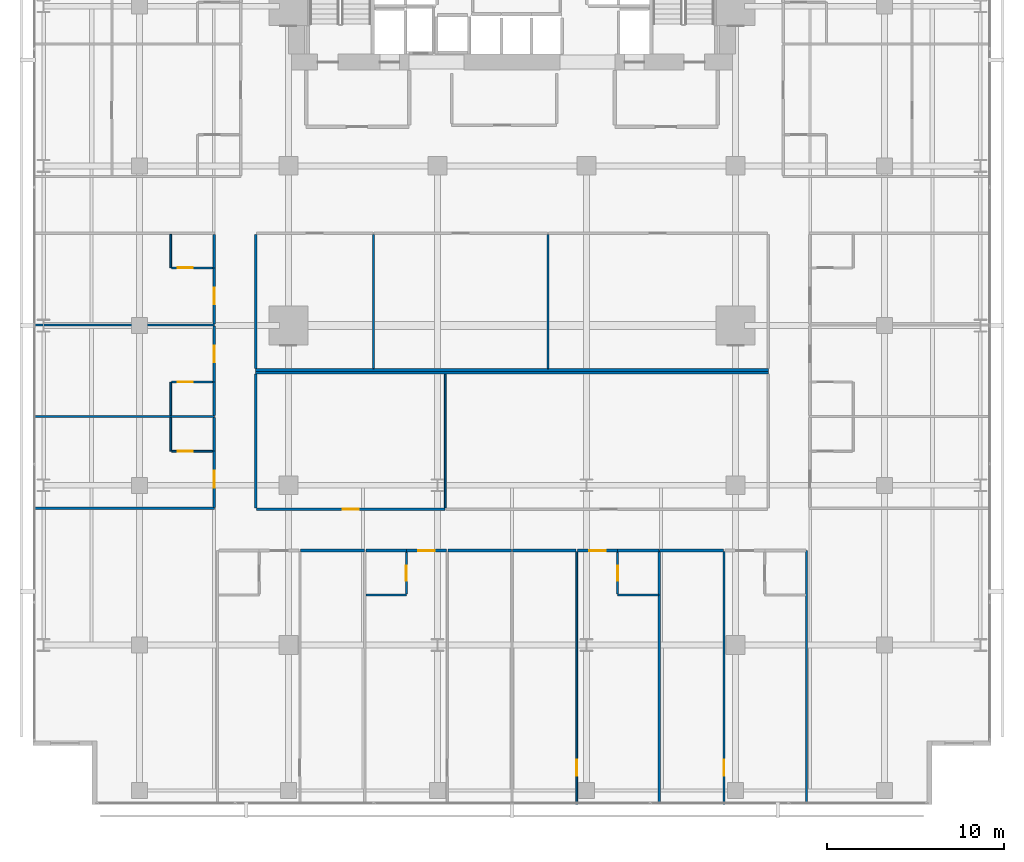
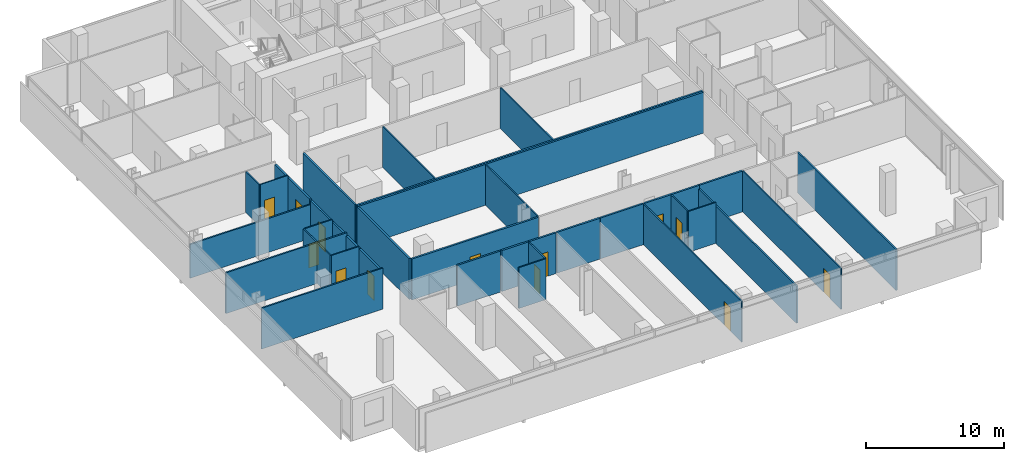
# One storey, part 33 of 40: 39 walls, 13 doors, 13 openings.
"""IFC4 building model written with IfcOpenShell, lengths in metres."""

from ifc_helpers import new_model, si_unit, direction, frame, frame_2d, origin, place, context, subcontext, project, spatial, rectangle, extrude, material, layer, layer_set, type_object, element, fill, save


model = new_model("IFC4")

# Units and contexts
model_context = context("Model", 3, precision=1e-05, world=origin(), true_north=direction((0.0, 1.0)))
body_context = subcontext(model_context, "Body", "Model", "MODEL_VIEW")
ifc_project = project(units=[si_unit("LENGTHUNIT", "METRE"), si_unit("AREAUNIT", "SQUARE_METRE"), si_unit("VOLUMEUNIT", "CUBIC_METRE"), si_unit("PLANEANGLEUNIT", "RADIAN"), si_unit("MASSUNIT", "GRAM", prefix="KILO")], contexts=[model_context])

# Site, building, storey
site_placement = place(None, origin())
site = spatial("IfcSite", under=ifc_project, at=site_placement, CompositionType="ELEMENT")
building_placement = place(site_placement, origin())
building = spatial("IfcBuilding", under=site, at=building_placement, Name="Maruvema Waterfront Hotel and Observation Tower", CompositionType="ELEMENT")
storey_placement = place(building_placement, frame((0.0, 0.0, 42.35009765625)))
storey = spatial("IfcBuildingStorey", under=building, at=storey_placement, Name="L09", CompositionType="ELEMENT", Elevation=42.35009765625)

# Walls
ifc_material_1 = material(Name="Twin-stud acoustic gypsum drywall", Category="gypsum")
ifc_layer_1 = layer(ifc_material_1, 0.14990234375, Name="Acoustic Corridor and Suite Demising Wall 150 mm")
ifc_layer_set_1 = layer_set([ifc_layer_1], Name="Twin-stud acoustic gypsum drywall")
wall_type_1 = type_object("IfcWallType", Name="Acoustic Corridor and Suite Demising Wall 150 mm", PredefinedType="PARTITIONING", material=ifc_layer_set_1)
wall_1_placement = place(storey_placement, frame((23.35009765625, 24.5, 0.0), z_axis=(0.0, 0.0, 1.0), x_axis=(1.0, 0.0, 0.0)))
element("IfcWall", 1, at=wall_1_placement, inside=storey, type_object=wall_type_1, Name="L09 L09-INTN Back Wall 016", PredefinedType="PARTITIONING", context=body_context, shape_type="SweptSolid", body=[
    extrude(rectangle(XDim=28.89990234375, YDim=0.14990234375, at=frame_2d((14.449951171875, 0.0))), origin(), (0.0, 0.0, 1.0), 3.60986328125),
])
wall_2_placement = place(storey_placement, frame((23.35009765625, 24.580078125, 0.0), z_axis=(0.0, 0.0, 1.0), x_axis=(0.0, 1.0, 0.0)))
element("IfcWall", 2, at=wall_2_placement, inside=storey, type_object=wall_type_1, Name="L09 L09-INTN West Wall 017", PredefinedType="PARTITIONING", context=body_context, shape_type="SweptSolid", body=[
    extrude(rectangle(XDim=7.5400390625, YDim=0.14990234375, at=frame_2d((3.77001953125, 0.0))), origin(), (0.0, 0.0, 1.0), 3.60986328125),
])
wall_3_placement = place(storey_placement, frame((23.35009765625, 24.340087890625, 0.0), z_axis=(0.0, 0.0, 1.0), x_axis=(1.0, 0.0, 0.0)))
element("IfcWall", 3, at=wall_3_placement, inside=storey, type_object=wall_type_1, Name="L09 L09-INTS Back Wall 024", PredefinedType="PARTITIONING", context=body_context, shape_type="SweptSolid", body=[
    extrude(rectangle(XDim=28.89990234375, YDim=0.14990234375, at=frame_2d((14.449951171875, 0.0))), origin(), (0.0, 0.0, 1.0), 3.60986328125),
])
wall_4_placement = place(storey_placement, frame((23.35009765625, 16.72998046875, 0.0), z_axis=(0.0, 0.0, 1.0), x_axis=(0.0, 1.0, 0.0)))
element("IfcWall", 4, at=wall_4_placement, inside=storey, type_object=wall_type_1, Name="L09 L09-INTS West Wall 025", PredefinedType="PARTITIONING", context=body_context, shape_type="SweptSolid", body=[
    extrude(rectangle(XDim=7.530029296875, YDim=0.14990234375, at=frame_2d((3.76513671875, 0.0))), origin(), (0.0, 0.0, 1.0), 3.60986328125),
])

# Wall, opening, door
wall_5_placement = place(storey_placement, frame((23.409912109375, 16.64990234375, 0.0), z_axis=(0.0, 0.0, 1.0), x_axis=(1.0, 0.0, 0.0)))
wall_5 = element("IfcWall", 5, at=wall_5_placement, inside=storey, type_object=wall_type_1, Name="L09 L09-INTS Front 1 027", PredefinedType="PARTITIONING", context=body_context, shape_type="SweptSolid", body=[
    extrude(rectangle(XDim=10.60302734375, YDim=0.14990234375, at=frame_2d((5.301513671875, 0.0))), origin(), (0.0, 0.0, 1.0), 3.60986328125),
])
opening_1_placement = place(wall_5_placement, frame((4.8515625, 0.0, 0.0)))
opening_1 = element("IfcOpeningElement", 6, at=opening_1_placement, cuts=wall_5, Name="Opening DR-090", PredefinedType="OPENING", context=body_context, shape_type="SweptSolid", body=[
    extrude(rectangle(XDim=0.89990234375, YDim=2.10009765625, at=frame_2d((0.449951171875, 1.050048828125))), frame((0.0, 0.0849609375, 0.0), z_axis=(0.0, -1.0, 0.0), x_axis=(1.0, 0.0, 0.0)), (0.0, 0.0, 1.0), 0.169921875),
])
ifc_material_2 = material(Name="Solid-core lacquered timber leaf", Category="wood")
door_type_1 = type_object("IfcDoorType", Name="Accessible Toilet and Room Door 900x2100 mm", OperationType="NOTDEFINED", PredefinedType="DOOR", material=ifc_material_2)
door_1_placement = place(opening_1_placement, frame((0.89990234375, 0.0, 0.0), z_axis=(0.0, 0.0, 1.0), x_axis=(-1.0, 0.0, 0.0)))
door_1 = element("IfcDoor", 7, at=door_1_placement, inside=storey, type_object=door_type_1, Name="L09 Wellness Reading Lounge Door", OperationType="SINGLE_SWING_LEFT", OverallHeight=2.10009765625, OverallWidth=0.89990234375, PredefinedType="DOOR", context=body_context, shape_type="SweptSolid", body=[
    extrude(rectangle(XDim=0.89990234375, YDim=2.10009765625, at=frame_2d((0.449951171875, 1.050048828125))), frame((0.0, 0.02490234375, 0.0), z_axis=(0.0, -1.0, 0.0), x_axis=(1.0, 0.0, 0.0)), (0.0, 0.0, 1.0), 0.050048828125),
])
fill(opening_1, door_1)

# Walls
wall_6_placement = place(storey_placement, frame((25.887939453125, 14.320068359375, 0.0), z_axis=(0.0, 0.0, 1.0), x_axis=(1.0, 0.0, 0.0)))
element("IfcWall", 8, at=wall_6_placement, inside=storey, type_object=wall_type_1, Name="L09 Bedroom L09-S1 Back Wall 036", PredefinedType="PARTITIONING", context=body_context, shape_type="SweptSolid", body=[
    extrude(rectangle(XDim=3.592041015625, YDim=0.14990234375, at=frame_2d((1.7958984375, 0.0))), origin(), (0.0, 0.0, 1.0), 3.60986328125),
])
wall_7_placement = place(storey_placement, frame((29.580078125, 14.320068359375, 0.0), z_axis=(0.0, 0.0, 1.0), x_axis=(1.0, 0.0, 0.0)))
element("IfcWall", 9, at=wall_7_placement, inside=storey, type_object=wall_type_1, Name="L09 Bath L09-S2 Back Wall 039", PredefinedType="PARTITIONING", context=body_context, shape_type="SweptSolid", body=[
    extrude(rectangle(XDim=2.27001953125, YDim=0.14990234375, at=frame_2d((1.135009765625, 0.0))), origin(), (0.0, 0.0, 1.0), 3.60986328125),
])

# Wall, opening, door
wall_8_placement = place(storey_placement, frame((31.85009765625, 14.320068359375, 0.0), z_axis=(0.0, 0.0, 1.0), x_axis=(1.0, 0.0, 0.0)))
wall_8 = element("IfcWall", 10, at=wall_8_placement, inside=storey, type_object=wall_type_1, Name="L09 Unit L09-S2 Corridor Wall 042", PredefinedType="PARTITIONING", context=body_context, shape_type="SweptSolid", body=[
    extrude(rectangle(XDim=2.2578125, YDim=0.14990234375, at=frame_2d((1.12890625, 0.0))), origin(), (0.0, 0.0, 1.0), 3.60986328125),
])
opening_2_placement = place(wall_8_placement, frame((0.654052734375, 0.0, 0.0)))
opening_2 = element("IfcOpeningElement", 11, at=opening_2_placement, cuts=wall_8, Name="Opening DR-095", PredefinedType="OPENING", context=body_context, shape_type="SweptSolid", body=[
    extrude(rectangle(XDim=0.949951171875, YDim=2.14990234375, at=frame_2d((0.47509765625, 1.074951171875))), frame((0.0, 0.0849609375, 0.0), z_axis=(0.0, -1.0, 0.0), x_axis=(1.0, 0.0, 0.0)), (0.0, 0.0, 1.0), 0.169921875),
])
ifc_material_3 = material(Name="Acoustic solid-core hardwood timber leaf", Category="wood")
door_type_2 = type_object("IfcDoorType", Name="Guestroom Entrance Fire Door 950x2150 mm", OperationType="NOTDEFINED", PredefinedType="DOOR", material=ifc_material_3)
door_2_placement = place(opening_2_placement, frame((0.949951171875, 0.0, 0.0), z_axis=(0.0, 0.0, 1.0), x_axis=(-1.0, 0.0, 0.0)))
door_2 = element("IfcDoor", 12, at=door_2_placement, inside=storey, type_object=door_type_2, Name="L09 Unit L09-S2 Entrance Door", OperationType="SINGLE_SWING_LEFT", OverallHeight=2.14990234375, OverallWidth=0.949951171875, PredefinedType="DOOR", context=body_context, shape_type="SweptSolid", body=[
    extrude(rectangle(XDim=0.949951171875, YDim=2.14990234375, at=frame_2d((0.47509765625, 1.074951171875))), frame((0.0, 0.02490234375, 0.0), z_axis=(0.0, -1.0, 0.0), x_axis=(1.0, 0.0, 0.0)), (0.0, 0.0, 1.0), 0.050048828125),
])
fill(opening_2, door_2)

# Walls
wall_9_placement = place(storey_placement, frame((34.18798828125, 14.320068359375, 0.0), z_axis=(0.0, 0.0, 1.0), x_axis=(1.0, 0.0, 0.0)))
element("IfcWall", 13, at=wall_9_placement, inside=storey, type_object=wall_type_1, Name="L09 Bedroom L09-S2 Back Wall 043", PredefinedType="PARTITIONING", context=body_context, shape_type="SweptSolid", body=[
    extrude(rectangle(XDim=3.592041015625, YDim=0.14990234375, at=frame_2d((1.7958984375, 0.0))), origin(), (0.0, 0.0, 1.0), 3.60986328125),
])
wall_10_placement = place(storey_placement, frame((43.75, 14.320068359375, 0.0), z_axis=(0.0, 0.0, 1.0), x_axis=(1.0, 0.0, 0.0)))
element("IfcWall", 14, at=wall_10_placement, inside=storey, type_object=wall_type_1, Name="L09 Bath L09-S3 Back Wall 046", PredefinedType="PARTITIONING", context=body_context, shape_type="SweptSolid", body=[
    extrude(rectangle(XDim=2.330078125, YDim=0.14990234375, at=frame_2d((1.1650390625, 0.0))), origin(), (0.0, 0.0, 1.0), 3.60986328125),
])
wall_11_placement = place(storey_placement, frame((37.820068359375, 14.320068359375, 0.0), z_axis=(0.0, 0.0, 1.0), x_axis=(1.0, 0.0, 0.0)))
element("IfcWall", 15, at=wall_11_placement, inside=storey, type_object=wall_type_1, Name="L09 Bedroom L09-S3 Back Wall 049", PredefinedType="PARTITIONING", context=body_context, shape_type="SweptSolid", body=[
    extrude(rectangle(XDim=3.592041015625, YDim=0.14990234375, at=frame_2d((1.7958984375, 0.0))), origin(), (0.0, 0.0, 1.0), 3.60986328125),
])

# Wall, opening, door
wall_12_placement = place(storey_placement, frame((41.491943359375, 14.320068359375, 0.0), z_axis=(0.0, 0.0, 1.0), x_axis=(1.0, 0.0, 0.0)))
wall_12 = element("IfcWall", 16, at=wall_12_placement, inside=storey, type_object=wall_type_1, Name="L09 Unit L09-S3 Corridor Wall 050", PredefinedType="PARTITIONING", context=body_context, shape_type="SweptSolid", body=[
    extrude(rectangle(XDim=2.258056640625, YDim=0.14990234375, at=frame_2d((1.12890625, 0.0))), origin(), (0.0, 0.0, 1.0), 3.60986328125),
])
opening_3_placement = place(wall_12_placement, frame((0.654052734375, 0.0, 0.0)))
opening_3 = element("IfcOpeningElement", 17, at=opening_3_placement, cuts=wall_12, Name="Opening DR-095", PredefinedType="OPENING", context=body_context, shape_type="SweptSolid", body=[
    extrude(rectangle(XDim=0.949951171875, YDim=2.14990234375, at=frame_2d((0.47509765625, 1.074951171875))), frame((0.0, 0.0849609375, 0.0), z_axis=(0.0, -1.0, 0.0), x_axis=(1.0, 0.0, 0.0)), (0.0, 0.0, 1.0), 0.169921875),
])
door_3_placement = place(opening_3_placement, frame((0.949951171875, 0.0, 0.0), z_axis=(0.0, 0.0, 1.0), x_axis=(-1.0, 0.0, 0.0)))
door_3 = element("IfcDoor", 18, at=door_3_placement, inside=storey, type_object=door_type_2, Name="L09 Unit L09-S3 Entrance Door", OperationType="SINGLE_SWING_RIGHT", OverallHeight=2.14990234375, OverallWidth=0.949951171875, PredefinedType="DOOR", context=body_context, shape_type="SweptSolid", body=[
    extrude(rectangle(XDim=0.949951171875, YDim=2.14990234375, at=frame_2d((0.47509765625, 1.074951171875))), frame((0.0, 0.02490234375, 0.0), z_axis=(0.0, -1.0, 0.0), x_axis=(1.0, 0.0, 0.0)), (0.0, 0.0, 1.0), 0.050048828125),
])
fill(opening_3, door_3)

# Wall
wall_13_placement = place(storey_placement, frame((46.1201171875, 14.320068359375, 0.0), z_axis=(0.0, 0.0, 1.0), x_axis=(1.0, 0.0, 0.0)))
element("IfcWall", 19, at=wall_13_placement, inside=storey, type_object=wall_type_1, Name="L09 Bedroom L09-S4 Back Wall 056", PredefinedType="PARTITIONING", context=body_context, shape_type="SweptSolid", body=[
    extrude(rectangle(XDim=3.591796875, YDim=0.14990234375, at=frame_2d((1.7958984375, 0.0))), origin(), (0.0, 0.0, 1.0), 3.60986328125),
])

# Wall, opening, door
wall_14_placement = place(storey_placement, frame((21.02001953125, 16.760009765625, 0.0), z_axis=(0.0, 0.0, 1.0), x_axis=(0.0, 1.0, 0.0)))
wall_14 = element("IfcWall", 20, at=wall_14_placement, inside=storey, type_object=wall_type_1, Name="L09 Room L09-W1 Corridor Wall 063", PredefinedType="PARTITIONING", context=body_context, shape_type="SweptSolid", body=[
    extrude(rectangle(XDim=3.159912109375, YDim=0.14990234375, at=frame_2d((1.580078125, 0.0))), origin(), (0.0, 0.0, 1.0), 3.343994140625),
])
opening_4_placement = place(wall_14_placement, frame((1.10498046875, 0.0, 0.0)))
opening_4 = element("IfcOpeningElement", 21, at=opening_4_placement, cuts=wall_14, Name="Opening DR-095", PredefinedType="OPENING", context=body_context, shape_type="SweptSolid", body=[
    extrude(rectangle(XDim=0.949951171875, YDim=2.14990234375, at=frame_2d((0.47509765625, 1.074951171875))), frame((0.0, 0.0849609375, 0.0), z_axis=(0.0, -1.0, 0.0), x_axis=(1.0, 0.0, 0.0)), (0.0, 0.0, 1.0), 0.169921875),
])
door_4_placement = place(opening_4_placement, origin())
door_4 = element("IfcDoor", 22, at=door_4_placement, inside=storey, type_object=door_type_2, Name="L09 Room L09-W1 Entrance Door", OperationType="SINGLE_SWING_RIGHT", OverallHeight=2.14990234375, OverallWidth=0.949951171875, PredefinedType="DOOR", context=body_context, shape_type="SweptSolid", body=[
    extrude(rectangle(XDim=0.949951171875, YDim=2.14990234375, at=frame_2d((0.47509765625, 1.074951171875))), frame((0.0, 0.02490234375, 0.0), z_axis=(0.0, -1.0, 0.0), x_axis=(1.0, 0.0, 0.0)), (0.0, 0.0, 1.0), 0.050048828125),
])
fill(opening_4, door_4)

# Walls
for number, where, z_axis, x_axis, name in (
    (23, (21.02001953125, 19.919921875, 0.0), (0.0, 0.0, 1.0), (0.0, 1.0, 0.0), "L09 Bath L09-W1 Wall 064"),
    (24, (21.02001953125, 21.929931640625, 0.0), (0.0, 0.0, 1.0), (0.0, 1.0, 0.0), "L09 Bath L09-W2 Wall 073"),
):
    element("IfcWall", number, at=place(storey_placement, frame(where, z_axis=z_axis, x_axis=x_axis)), inside=storey, type_object=wall_type_1, Name=name, PredefinedType="PARTITIONING", context=body_context, shape_type="SweptSolid", body=[
        extrude(rectangle(XDim=1.89013671875, YDim=0.14990234375, at=frame_2d((0.945068359375, 0.0))), origin(), (0.0, 0.0, 1.0), 3.351806640625),
    ])

# Wall, opening, door
wall_15_placement = place(storey_placement, frame((21.02001953125, 23.820068359375, 0.0), z_axis=(0.0, 0.0, 1.0), x_axis=(0.0, 1.0, 0.0)))
wall_15 = element("IfcWall", 25, at=wall_15_placement, inside=storey, type_object=wall_type_1, Name="L09 Room L09-W2 Corridor Wall 074", PredefinedType="PARTITIONING", context=body_context, shape_type="SweptSolid", body=[
    extrude(rectangle(XDim=3.14990234375, YDim=0.14990234375, at=frame_2d((1.574951171875, 0.0))), origin(), (0.0, 0.0, 1.0), 3.351806640625),
])
opening_5_placement = place(wall_15_placement, frame((1.10009765625, 0.0, 0.0)))
opening_5 = element("IfcOpeningElement", 26, at=opening_5_placement, cuts=wall_15, Name="Opening DR-095", PredefinedType="OPENING", context=body_context, shape_type="SweptSolid", body=[
    extrude(rectangle(XDim=0.949951171875, YDim=2.14990234375, at=frame_2d((0.47509765625, 1.074951171875))), frame((0.0, 0.0849609375, 0.0), z_axis=(0.0, -1.0, 0.0), x_axis=(1.0, 0.0, 0.0)), (0.0, 0.0, 1.0), 0.169921875),
])
door_5_placement = place(opening_5_placement, origin())
door_5 = element("IfcDoor", 27, at=door_5_placement, inside=storey, type_object=door_type_2, Name="L09 Room L09-W2 Entrance Door", OperationType="SINGLE_SWING_RIGHT", OverallHeight=2.14990234375, OverallWidth=0.949951171875, PredefinedType="DOOR", context=body_context, shape_type="SweptSolid", body=[
    extrude(rectangle(XDim=0.949951171875, YDim=2.14990234375, at=frame_2d((0.47509765625, 1.074951171875))), frame((0.0, 0.02490234375, 0.0), z_axis=(0.0, -1.0, 0.0), x_axis=(1.0, 0.0, 0.0)), (0.0, 0.0, 1.0), 0.050048828125),
])
fill(opening_5, door_5)

wall_16_placement = place(storey_placement, frame((21.02001953125, 27.090087890625, 0.0), z_axis=(0.0, 0.0, 1.0), x_axis=(0.0, 1.0, 0.0)))
wall_16 = element("IfcWall", 28, at=wall_16_placement, inside=storey, type_object=wall_type_1, Name="L09 Room L09-W3 Corridor Wall 083", PredefinedType="PARTITIONING", context=body_context, shape_type="SweptSolid", body=[
    extrude(rectangle(XDim=3.159912109375, YDim=0.14990234375, at=frame_2d((1.580078125, 0.0))), origin(), (0.0, 0.0, 1.0), 3.40283203125),
])
opening_6_placement = place(wall_16_placement, frame((1.10498046875, 0.0, 0.0)))
opening_6 = element("IfcOpeningElement", 29, at=opening_6_placement, cuts=wall_16, Name="Opening DR-095", PredefinedType="OPENING", context=body_context, shape_type="SweptSolid", body=[
    extrude(rectangle(XDim=0.949951171875, YDim=2.14990234375, at=frame_2d((0.47509765625, 1.074951171875))), frame((0.0, 0.0849609375, 0.0), z_axis=(0.0, -1.0, 0.0), x_axis=(1.0, 0.0, 0.0)), (0.0, 0.0, 1.0), 0.169921875),
])
door_6_placement = place(opening_6_placement, origin())
door_6 = element("IfcDoor", 30, at=door_6_placement, inside=storey, type_object=door_type_2, Name="L09 Room L09-W3 Entrance Door", OperationType="SINGLE_SWING_RIGHT", OverallHeight=2.14990234375, OverallWidth=0.949951171875, PredefinedType="DOOR", context=body_context, shape_type="SweptSolid", body=[
    extrude(rectangle(XDim=0.949951171875, YDim=2.14990234375, at=frame_2d((0.47509765625, 1.074951171875))), frame((0.0, 0.02490234375, 0.0), z_axis=(0.0, -1.0, 0.0), x_axis=(1.0, 0.0, 0.0)), (0.0, 0.0, 1.0), 0.050048828125),
])
fill(opening_6, door_6)

# Walls
wall_17_placement = place(storey_placement, frame((21.02001953125, 30.25, 0.0), z_axis=(0.0, 0.0, 1.0), x_axis=(0.0, 1.0, 0.0)))
element("IfcWall", 31, at=wall_17_placement, inside=storey, type_object=wall_type_1, Name="L09 Bath L09-W3 Wall 084", PredefinedType="PARTITIONING", context=body_context, shape_type="SweptSolid", body=[
    extrude(rectangle(XDim=1.889892578125, YDim=0.14990234375, at=frame_2d((0.94482421875, 0.0))), origin(), (0.0, 0.0, 1.0), 3.40283203125),
])
ifc_material_4 = material(Name="Moisture-resistant cement-board drywall", Category="gypsum")
ifc_layer_2 = layer(ifc_material_4, 0.10009765625, Name="En-Suite Moisture-Resistant Partition 100 mm")
ifc_layer_set_2 = layer_set([ifc_layer_2], Name="Moisture-resistant cement-board drywall")
wall_type_2 = type_object("IfcWallType", Name="En-Suite Moisture-Resistant Partition 100 mm", PredefinedType="PARTITIONING", material=ifc_layer_set_2)
for number, where, z_axis, x_axis, name in (
    (32, (29.9970703125, 24.580078125, 0.0), (0.0, 0.0, 1.0), (0.0, 1.0, 0.0), "L09 L09-INTN Split 1 020"),
    (33, (39.822998046875, 24.580078125, 0.0), (0.0, 0.0, 1.0), (0.0, 1.0, 0.0), "L09 L09-INTN Split 2 022"),
):
    element("IfcWall", number, at=place(storey_placement, frame(where, z_axis=z_axis, x_axis=x_axis)), inside=storey, type_object=wall_type_2, Name=name, PredefinedType="PARTITIONING", context=body_context, shape_type="SweptSolid", body=[
        extrude(rectangle(XDim=7.5400390625, YDim=0.10009765625, at=frame_2d((3.77001953125, 0.0))), origin(), (0.0, 0.0, 1.0), 3.60986328125),
    ])
wall_18_placement = place(storey_placement, frame((34.04296875, 16.72998046875, 0.0), z_axis=(0.0, 0.0, 1.0), x_axis=(0.0, 1.0, 0.0)))
element("IfcWall", 34, at=wall_18_placement, inside=storey, type_object=wall_type_2, Name="L09 L09-INTS Split 1 028", PredefinedType="PARTITIONING", context=body_context, shape_type="SweptSolid", body=[
    extrude(rectangle(XDim=7.530029296875, YDim=0.10009765625, at=frame_2d((3.76513671875, 0.0))), origin(), (0.0, 0.0, 1.0), 3.60986328125),
])
wall_19_placement = place(storey_placement, frame((29.580078125, 11.820068359375, 0.0), z_axis=(0.0, 0.0, 1.0), x_axis=(1.0, 0.0, 0.0)))
element("IfcWall", 35, at=wall_19_placement, inside=storey, type_object=wall_type_2, Name="L09 En-Suite L09-S2 South 040", PredefinedType="PARTITIONING", context=body_context, shape_type="SweptSolid", body=[
    extrude(rectangle(XDim=2.27001953125, YDim=0.10009765625, at=frame_2d((1.135009765625, 0.0))), origin(), (0.0, 0.0, 1.0), 3.60986328125),
])

# Wall, opening, door
wall_20_placement = place(storey_placement, frame((31.85009765625, 11.8798828125, 0.0), z_axis=(0.0, 0.0, 1.0), x_axis=(0.0, 1.0, 0.0)))
wall_20 = element("IfcWall", 36, at=wall_20_placement, inside=storey, type_object=wall_type_2, Name="L09 En-Suite L09-S2 East 041", PredefinedType="PARTITIONING", context=body_context, shape_type="SweptSolid", body=[
    extrude(rectangle(XDim=2.340087890625, YDim=0.10009765625, at=frame_2d((1.169921875, 0.0))), origin(), (0.0, 0.0, 1.0), 3.60986328125),
])
opening_7_placement = place(wall_20_placement, frame((0.7451171875, 0.0, 0.0)))
opening_7 = element("IfcOpeningElement", 37, at=opening_7_placement, cuts=wall_20, Name="Opening DR-085", PredefinedType="OPENING", context=body_context, shape_type="SweptSolid", body=[
    extrude(rectangle(XDim=0.85009765625, YDim=2.10009765625, at=frame_2d((0.425048828125, 1.050048828125))), frame((0.0, 0.06005859375, 0.0), z_axis=(0.0, -1.0, 0.0), x_axis=(1.0, 0.0, 0.0)), (0.0, 0.0, 1.0), 0.1201171875),
])
ifc_material_5 = material(Name="Moisture-resistant solid timber leaf", Category="wood")
door_type_3 = type_object("IfcDoorType", Name="En-Suite Bathroom Door 850x2100 mm", OperationType="NOTDEFINED", PredefinedType="DOOR", material=ifc_material_5)
door_7_placement = place(opening_7_placement, frame((0.85009765625, 0.0, 0.0), z_axis=(0.0, 0.0, 1.0), x_axis=(-1.0, 0.0, 0.0)))
door_7 = element("IfcDoor", 38, at=door_7_placement, inside=storey, type_object=door_type_3, Name="L09 En-Suite L09-S2 Door", OperationType="SINGLE_SWING_RIGHT", OverallHeight=2.10009765625, OverallWidth=0.85009765625, PredefinedType="DOOR", context=body_context, shape_type="SweptSolid", body=[
    extrude(rectangle(XDim=0.85009765625, YDim=2.10009765625, at=frame_2d((0.425048828125, 1.050048828125))), frame((0.0, 0.02490234375, 0.0), z_axis=(0.0, -1.0, 0.0), x_axis=(1.0, 0.0, 0.0)), (0.0, 0.0, 1.0), 0.050048828125),
])
fill(opening_7, door_7)

# Wall
wall_21_placement = place(storey_placement, frame((43.75, 11.820068359375, 0.0), z_axis=(0.0, 0.0, 1.0), x_axis=(1.0, 0.0, 0.0)))
element("IfcWall", 39, at=wall_21_placement, inside=storey, type_object=wall_type_2, Name="L09 En-Suite L09-S3 South 047", PredefinedType="PARTITIONING", context=body_context, shape_type="SweptSolid", body=[
    extrude(rectangle(XDim=2.31005859375, YDim=0.10009765625, at=frame_2d((1.155029296875, 0.0))), origin(), (0.0, 0.0, 1.0), 3.60986328125),
])

# Wall, opening, door
wall_22_placement = place(storey_placement, frame((43.75, 11.8798828125, 0.0), z_axis=(0.0, 0.0, 1.0), x_axis=(0.0, 1.0, 0.0)))
wall_22 = element("IfcWall", 40, at=wall_22_placement, inside=storey, type_object=wall_type_2, Name="L09 En-Suite L09-S3 West 048", PredefinedType="PARTITIONING", context=body_context, shape_type="SweptSolid", body=[
    extrude(rectangle(XDim=2.340087890625, YDim=0.10009765625, at=frame_2d((1.169921875, 0.0))), origin(), (0.0, 0.0, 1.0), 3.60986328125),
])
opening_8_placement = place(wall_22_placement, frame((0.7451171875, 0.0, 0.0)))
opening_8 = element("IfcOpeningElement", 41, at=opening_8_placement, cuts=wall_22, Name="Opening DR-085", PredefinedType="OPENING", context=body_context, shape_type="SweptSolid", body=[
    extrude(rectangle(XDim=0.85009765625, YDim=2.10009765625, at=frame_2d((0.425048828125, 1.050048828125))), frame((0.0, 0.06005859375, 0.0), z_axis=(0.0, -1.0, 0.0), x_axis=(1.0, 0.0, 0.0)), (0.0, 0.0, 1.0), 0.1201171875),
])
door_8_placement = place(opening_8_placement, origin())
door_8 = element("IfcDoor", 42, at=door_8_placement, inside=storey, type_object=door_type_3, Name="L09 En-Suite L09-S3 Door", OperationType="SINGLE_SWING_LEFT", OverallHeight=2.10009765625, OverallWidth=0.85009765625, PredefinedType="DOOR", context=body_context, shape_type="SweptSolid", body=[
    extrude(rectangle(XDim=0.85009765625, YDim=2.10009765625, at=frame_2d((0.425048828125, 1.050048828125))), frame((0.0, 0.02490234375, 0.0), z_axis=(0.0, -1.0, 0.0), x_axis=(1.0, 0.0, 0.0)), (0.0, 0.0, 1.0), 0.050048828125),
])
fill(opening_8, door_8)

wall_23_placement = place(storey_placement, frame((41.451904296875, 0.030029296875, 0.0), z_axis=(0.0, 0.0, 1.0), x_axis=(0.0, 1.0, 0.0)))
wall_23 = element("IfcWall", 43, at=wall_23_placement, inside=storey, type_object=wall_type_2, Name="L09 Suite L09-S3 Split 051", PredefinedType="PARTITIONING", context=body_context, shape_type="SweptSolid", body=[
    extrude(rectangle(XDim=14.22998046875, YDim=0.10009765625, at=frame_2d((7.114990234375, 0.0))), origin(), (0.0, 0.0, 1.0), 3.60986328125),
])
opening_9_placement = place(wall_23_placement, frame((1.60009765625, 0.0, 0.0)))
opening_9 = element("IfcOpeningElement", 44, at=opening_9_placement, cuts=wall_23, Name="Opening DR-090", PredefinedType="OPENING", context=body_context, shape_type="SweptSolid", body=[
    extrude(rectangle(XDim=0.89990234375, YDim=2.10009765625, at=frame_2d((0.449951171875, 1.050048828125))), frame((0.0, 0.06005859375, 0.0), z_axis=(0.0, -1.0, 0.0), x_axis=(1.0, 0.0, 0.0)), (0.0, 0.0, 1.0), 0.1201171875),
])
door_9_placement = place(opening_9_placement, frame((0.89990234375, 0.0, 0.0), z_axis=(0.0, 0.0, 1.0), x_axis=(-1.0, 0.0, 0.0)))
door_9 = element("IfcDoor", 45, at=door_9_placement, inside=storey, type_object=door_type_1, Name="L09 Suite L09-S3 Bedroom Door", OperationType="SINGLE_SWING_LEFT", OverallHeight=2.10009765625, OverallWidth=0.89990234375, PredefinedType="DOOR", context=body_context, shape_type="SweptSolid", body=[
    extrude(rectangle(XDim=0.89990234375, YDim=2.10009765625, at=frame_2d((0.449951171875, 1.050048828125))), frame((0.0, 0.02490234375, 0.0), z_axis=(0.0, -1.0, 0.0), x_axis=(1.0, 0.0, 0.0)), (0.0, 0.0, 1.0), 0.050048828125),
])
fill(opening_9, door_9)

wall_24_placement = place(storey_placement, frame((49.751953125, 0.030029296875, 0.0), z_axis=(0.0, 0.0, 1.0), x_axis=(0.0, 1.0, 0.0)))
wall_24 = element("IfcWall", 46, at=wall_24_placement, inside=storey, type_object=wall_type_2, Name="L09 Suite L09-S4 Split 058", PredefinedType="PARTITIONING", context=body_context, shape_type="SweptSolid", body=[
    extrude(rectangle(XDim=14.22998046875, YDim=0.10009765625, at=frame_2d((7.114990234375, 0.0))), origin(), (0.0, 0.0, 1.0), 3.60986328125),
])
opening_10_placement = place(wall_24_placement, frame((1.60009765625, 0.0, 0.0)))
opening_10 = element("IfcOpeningElement", 47, at=opening_10_placement, cuts=wall_24, Name="Opening DR-090", PredefinedType="OPENING", context=body_context, shape_type="SweptSolid", body=[
    extrude(rectangle(XDim=0.89990234375, YDim=2.10009765625, at=frame_2d((0.449951171875, 1.050048828125))), frame((0.0, 0.06005859375, 0.0), z_axis=(0.0, -1.0, 0.0), x_axis=(1.0, 0.0, 0.0)), (0.0, 0.0, 1.0), 0.1201171875),
])
door_10_placement = place(opening_10_placement, frame((0.89990234375, 0.0, 0.0), z_axis=(0.0, 0.0, 1.0), x_axis=(-1.0, 0.0, 0.0)))
door_10 = element("IfcDoor", 48, at=door_10_placement, inside=storey, type_object=door_type_1, Name="L09 Suite L09-S4 Bedroom Door", OperationType="SINGLE_SWING_RIGHT", OverallHeight=2.10009765625, OverallWidth=0.89990234375, PredefinedType="DOOR", context=body_context, shape_type="SweptSolid", body=[
    extrude(rectangle(XDim=0.89990234375, YDim=2.10009765625, at=frame_2d((0.449951171875, 1.050048828125))), frame((0.0, 0.02490234375, 0.0), z_axis=(0.0, -1.0, 0.0), x_axis=(1.0, 0.0, 0.0)), (0.0, 0.0, 1.0), 0.050048828125),
])
fill(opening_10, door_10)

# Wall
wall_25_placement = place(storey_placement, frame((18.570068359375, 19.919921875, 0.0), z_axis=(0.0, 0.0, 1.0), x_axis=(0.0, 1.0, 0.0)))
element("IfcWall", 49, at=wall_25_placement, inside=storey, type_object=wall_type_2, Name="L09 En-Suite L09-W1 W 065", PredefinedType="PARTITIONING", context=body_context, shape_type="SweptSolid", body=[
    extrude(rectangle(XDim=1.89013671875, YDim=0.10009765625, at=frame_2d((0.945068359375, 0.0))), origin(), (0.0, 0.0, 1.0), 3.60986328125),
])

# Wall, opening, door
wall_26_placement = place(storey_placement, frame((18.6201171875, 19.919921875, 0.0), z_axis=(0.0, 0.0, 1.0), x_axis=(1.0, 0.0, 0.0)))
wall_26 = element("IfcWall", 50, at=wall_26_placement, inside=storey, type_object=wall_type_2, Name="L09 En-Suite L09-W1 S 066", PredefinedType="PARTITIONING", context=body_context, shape_type="SweptSolid", body=[
    extrude(rectangle(XDim=2.2998046875, YDim=0.10009765625, at=frame_2d((1.14990234375, 0.0))), origin(), (0.0, 0.0, 1.0), 3.60986328125),
])
opening_11_placement = place(wall_26_placement, frame((0.35009765625, 0.0, 0.0)))
opening_11 = element("IfcOpeningElement", 51, at=opening_11_placement, cuts=wall_26, Name="Opening DR-085", PredefinedType="OPENING", context=body_context, shape_type="SweptSolid", body=[
    extrude(rectangle(XDim=0.85009765625, YDim=2.10009765625, at=frame_2d((0.425048828125, 1.050048828125))), frame((0.0, 0.06005859375, 0.0), z_axis=(0.0, -1.0, 0.0), x_axis=(1.0, 0.0, 0.0)), (0.0, 0.0, 1.0), 0.1201171875),
])
door_11_placement = place(opening_11_placement, frame((0.85009765625, 0.0, 0.0), z_axis=(0.0, 0.0, 1.0), x_axis=(-1.0, 0.0, 0.0)))
door_11 = element("IfcDoor", 52, at=door_11_placement, inside=storey, type_object=door_type_3, Name="L09 En-Suite L09-W1 Door", OperationType="SINGLE_SWING_LEFT", OverallHeight=2.10009765625, OverallWidth=0.85009765625, PredefinedType="DOOR", context=body_context, shape_type="SweptSolid", body=[
    extrude(rectangle(XDim=0.85009765625, YDim=2.10009765625, at=frame_2d((0.425048828125, 1.050048828125))), frame((0.0, 0.02490234375, 0.0), z_axis=(0.0, -1.0, 0.0), x_axis=(1.0, 0.0, 0.0)), (0.0, 0.0, 1.0), 0.050048828125),
])
fill(opening_11, door_11)

# Wall
wall_27_placement = place(storey_placement, frame((18.570068359375, 21.929931640625, 0.0), z_axis=(0.0, 0.0, 1.0), x_axis=(0.0, 1.0, 0.0)))
element("IfcWall", 53, at=wall_27_placement, inside=storey, type_object=wall_type_2, Name="L09 En-Suite L09-W2 W 075", PredefinedType="PARTITIONING", context=body_context, shape_type="SweptSolid", body=[
    extrude(rectangle(XDim=1.89013671875, YDim=0.10009765625, at=frame_2d((0.945068359375, 0.0))), origin(), (0.0, 0.0, 1.0), 3.60986328125),
])

# Wall, opening, door
wall_28_placement = place(storey_placement, frame((18.6201171875, 23.820068359375, 0.0), z_axis=(0.0, 0.0, 1.0), x_axis=(1.0, 0.0, 0.0)))
wall_28 = element("IfcWall", 54, at=wall_28_placement, inside=storey, type_object=wall_type_2, Name="L09 En-Suite L09-W2 N 076", PredefinedType="PARTITIONING", context=body_context, shape_type="SweptSolid", body=[
    extrude(rectangle(XDim=2.2998046875, YDim=0.10009765625, at=frame_2d((1.14990234375, 0.0))), origin(), (0.0, 0.0, 1.0), 3.60986328125),
])
opening_12_placement = place(wall_28_placement, frame((0.35009765625, 0.0, 0.0)))
opening_12 = element("IfcOpeningElement", 55, at=opening_12_placement, cuts=wall_28, Name="Opening DR-085", PredefinedType="OPENING", context=body_context, shape_type="SweptSolid", body=[
    extrude(rectangle(XDim=0.85009765625, YDim=2.10009765625, at=frame_2d((0.425048828125, 1.050048828125))), frame((0.0, 0.06005859375, 0.0), z_axis=(0.0, -1.0, 0.0), x_axis=(1.0, 0.0, 0.0)), (0.0, 0.0, 1.0), 0.1201171875),
])
door_12_placement = place(opening_12_placement, origin())
door_12 = element("IfcDoor", 56, at=door_12_placement, inside=storey, type_object=door_type_3, Name="L09 En-Suite L09-W2 Door", OperationType="SINGLE_SWING_LEFT", OverallHeight=2.10009765625, OverallWidth=0.85009765625, PredefinedType="DOOR", context=body_context, shape_type="SweptSolid", body=[
    extrude(rectangle(XDim=0.85009765625, YDim=2.10009765625, at=frame_2d((0.425048828125, 1.050048828125))), frame((0.0, 0.02490234375, 0.0), z_axis=(0.0, -1.0, 0.0), x_axis=(1.0, 0.0, 0.0)), (0.0, 0.0, 1.0), 0.050048828125),
])
fill(opening_12, door_12)

# Wall
wall_29_placement = place(storey_placement, frame((18.570068359375, 30.25, 0.0), z_axis=(0.0, 0.0, 1.0), x_axis=(0.0, 1.0, 0.0)))
element("IfcWall", 57, at=wall_29_placement, inside=storey, type_object=wall_type_2, Name="L09 En-Suite L09-W3 W 085", PredefinedType="PARTITIONING", context=body_context, shape_type="SweptSolid", body=[
    extrude(rectangle(XDim=1.889892578125, YDim=0.10009765625, at=frame_2d((0.94482421875, 0.0))), origin(), (0.0, 0.0, 1.0), 3.60986328125),
])

# Wall, opening, door
wall_30_placement = place(storey_placement, frame((18.6201171875, 30.25, 0.0), z_axis=(0.0, 0.0, 1.0), x_axis=(1.0, 0.0, 0.0)))
wall_30 = element("IfcWall", 58, at=wall_30_placement, inside=storey, type_object=wall_type_2, Name="L09 En-Suite L09-W3 S 086", PredefinedType="PARTITIONING", context=body_context, shape_type="SweptSolid", body=[
    extrude(rectangle(XDim=2.2998046875, YDim=0.10009765625, at=frame_2d((1.14990234375, 0.0))), origin(), (0.0, 0.0, 1.0), 3.60986328125),
])
opening_13_placement = place(wall_30_placement, frame((0.35009765625, 0.0, 0.0)))
opening_13 = element("IfcOpeningElement", 59, at=opening_13_placement, cuts=wall_30, Name="Opening DR-085", PredefinedType="OPENING", context=body_context, shape_type="SweptSolid", body=[
    extrude(rectangle(XDim=0.85009765625, YDim=2.10009765625, at=frame_2d((0.425048828125, 1.050048828125))), frame((0.0, 0.06005859375, 0.0), z_axis=(0.0, -1.0, 0.0), x_axis=(1.0, 0.0, 0.0)), (0.0, 0.0, 1.0), 0.1201171875),
])
door_13_placement = place(opening_13_placement, frame((0.85009765625, 0.0, 0.0), z_axis=(0.0, 0.0, 1.0), x_axis=(-1.0, 0.0, 0.0)))
door_13 = element("IfcDoor", 60, at=door_13_placement, inside=storey, type_object=door_type_3, Name="L09 En-Suite L09-W3 Door", OperationType="SINGLE_SWING_LEFT", OverallHeight=2.10009765625, OverallWidth=0.85009765625, PredefinedType="DOOR", context=body_context, shape_type="SweptSolid", body=[
    extrude(rectangle(XDim=0.85009765625, YDim=2.10009765625, at=frame_2d((0.425048828125, 1.050048828125))), frame((0.0, 0.02490234375, 0.0), z_axis=(0.0, -1.0, 0.0), x_axis=(1.0, 0.0, 0.0)), (0.0, 0.0, 1.0), 0.050048828125),
])
fill(opening_13, door_13)

# Walls
ifc_material_6 = material(Name="Acoustic gypsum plasterboard drywall", Category="gypsum")
ifc_layer_3 = layer(ifc_material_6, 0.125, Name="Guestroom Acoustic Demising Wall 125 mm")
ifc_layer_set_3 = layer_set([ifc_layer_3], Name="Acoustic gypsum plasterboard drywall")
wall_type_3 = type_object("IfcWallType", Name="Guestroom Acoustic Demising Wall 125 mm", PredefinedType="PARTITIONING", material=ifc_layer_set_3)
wall_31_placement = place(storey_placement, frame((54.39990234375, 0.10009765625, 0.0), z_axis=(0.0, 0.0, 1.0), x_axis=(0.0, 1.0, 0.0)))
element("IfcWall", 61, at=wall_31_placement, inside=storey, type_object=wall_type_3, Name="L09 S East End 031", PredefinedType="PARTITIONING", context=body_context, shape_type="SweptSolid", body=[
    extrude(rectangle(XDim=14.219970703125, YDim=0.125, at=frame_2d((7.10986328125, 0.0))), origin(), (0.0, 0.0, 1.0), 3.60986328125),
])
wall_32_placement = place(storey_placement, frame((46.10009765625, 0.10009765625, 0.0), z_axis=(0.0, 0.0, 1.0), x_axis=(0.0, 1.0, 0.0)))
element("IfcWall", 62, at=wall_32_placement, inside=storey, type_object=wall_type_3, Name="L09 S Demising 4 052", PredefinedType="PARTITIONING", context=body_context, shape_type="SweptSolid", body=[
    extrude(rectangle(XDim=14.219970703125, YDim=0.125, at=frame_2d((7.10986328125, 0.0))), origin(), (0.0, 0.0, 1.0), 3.29296875),
])
for number, where, z_axis, x_axis, name in (
    (63, (10.89990234375, 16.699951171875, 0.0), (0.0, 0.0, 1.0), (1.0, 0.0, 0.0), "L09 W Bot End 059"),
    (64, (10.89990234375, 21.8701171875, 0.0), (0.0, 0.0, 1.0), (1.0, 0.0, 0.0), "L09 W Demising 2 071"),
):
    element("IfcWall", number, at=place(storey_placement, frame(where, z_axis=z_axis, x_axis=x_axis)), inside=storey, type_object=wall_type_3, Name=name, PredefinedType="PARTITIONING", context=body_context, shape_type="SweptSolid", body=[
        extrude(rectangle(XDim=10.1201171875, YDim=0.125, at=frame_2d((5.06005859375, 0.0))), origin(), (0.0, 0.0, 1.0), 3.60986328125),
    ])
wall_33_placement = place(storey_placement, frame((10.89990234375, 27.030029296875, 0.0), z_axis=(0.0, 0.0, 1.0), x_axis=(1.0, 0.0, 0.0)))
element("IfcWall", 65, at=wall_33_placement, inside=storey, type_object=wall_type_3, Name="L09 W Demising 3 081", PredefinedType="PARTITIONING", context=body_context, shape_type="SweptSolid", body=[
    extrude(rectangle(XDim=10.1201171875, YDim=0.125, at=frame_2d((5.06005859375, 0.0))), origin(), (0.0, 0.0, 1.0), 2.98779296875),
])

save(model, "model.ifc")
